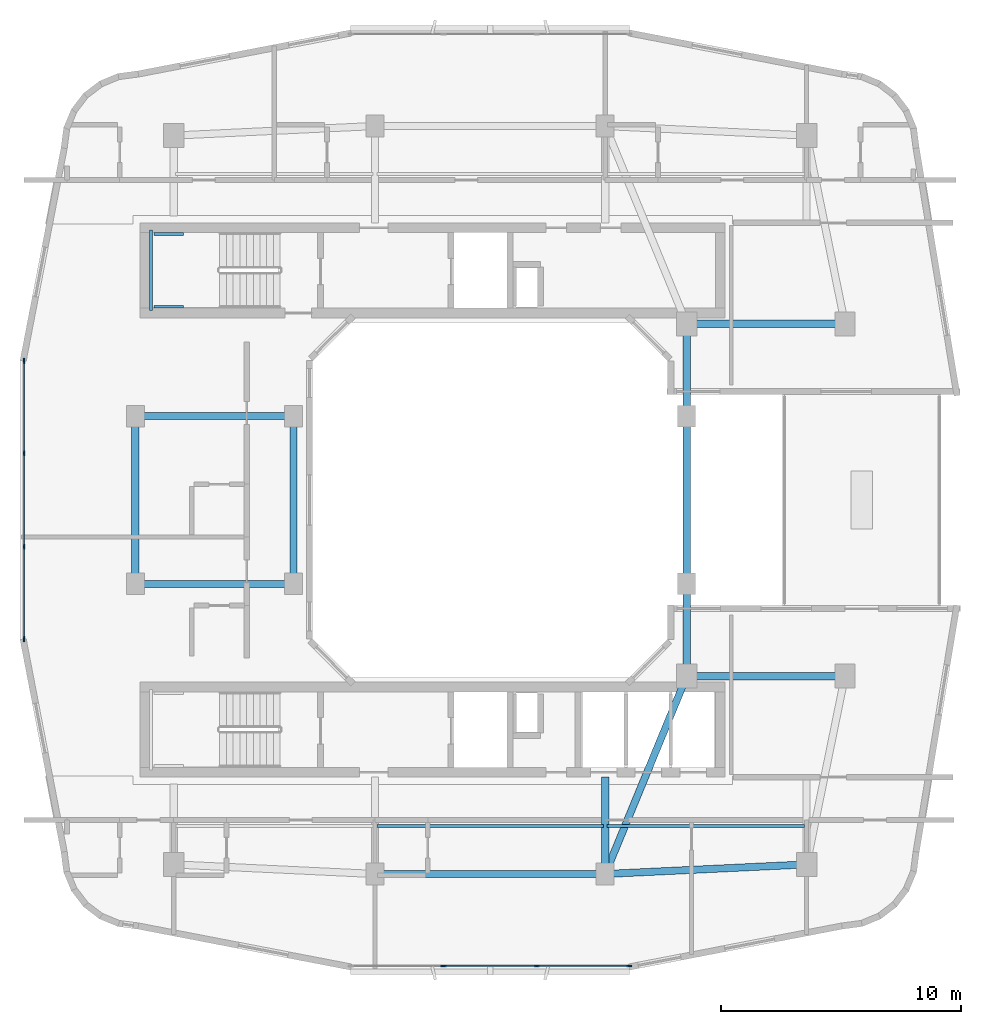
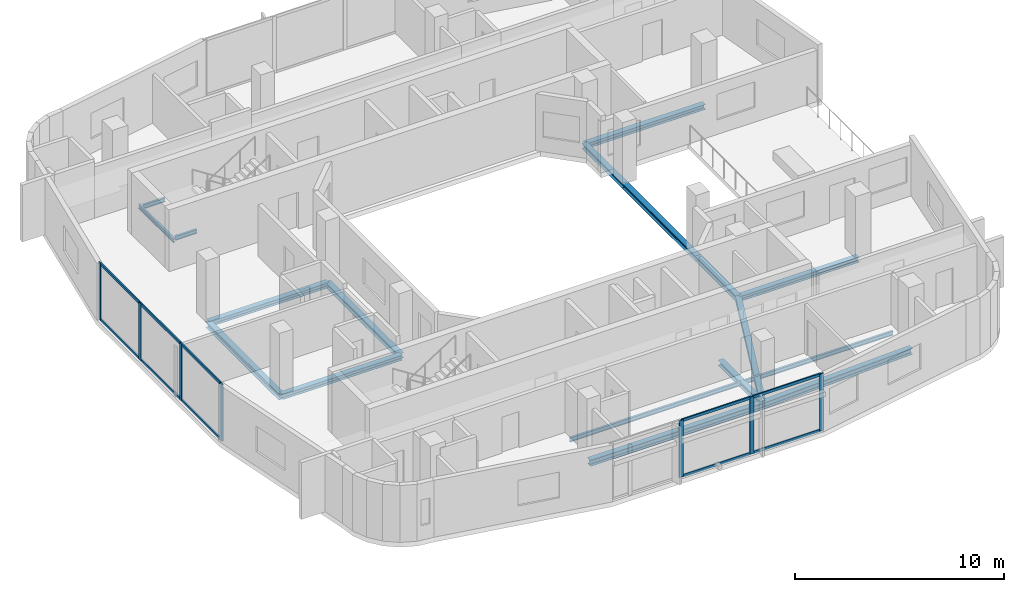
# One storey, part 2 of 12: 18 beams, 17 members, 2 elements without a shape of their own.
"""IFC4 building model written with IfcOpenShell, lengths in metres."""

from ifc_helpers import new_model, si_unit, derived_unit, direction, frame, origin, origin_2d, place, context, subcontext, project, spatial, rectangle, i_section, extrude, material, layer, layer_set, material_profile, profile_set, type_object, element, aggregate, save


model = new_model("IFC4")

# Units and contexts
model_context = context("Model", 3, precision=1e-05, world=origin(), true_north=direction((0.0, 1.0)))
body_context = subcontext(model_context, "Body", "Model", "MODEL_VIEW")
ifc_project = project(units=[si_unit("LENGTHUNIT", "METRE"), si_unit("AREAUNIT", "SQUARE_METRE"), si_unit("VOLUMEUNIT", "CUBIC_METRE"), si_unit("PLANEANGLEUNIT", "RADIAN"), si_unit("MASSUNIT", "GRAM", prefix="KILO"), derived_unit("THERMALTRANSMITTANCEUNIT", [(si_unit("POWERUNIT", "WATT"), 1), (si_unit("LENGTHUNIT", "METRE"), -2), (si_unit("THERMODYNAMICTEMPERATUREUNIT", "KELVIN"), -1)])], contexts=[model_context])

# Site, building, storey
site_placement = place(None, origin())
site = spatial("IfcSite", under=ifc_project, at=site_placement, CompositionType="ELEMENT")
building_placement = place(site_placement, origin())
building = spatial("IfcBuilding", under=site, at=building_placement, Name="Kivonza Crest Hotel", CompositionType="ELEMENT")
storey_placement = place(building_placement, frame((0.0, 0.0, 177.5)))
storey = spatial("IfcBuildingStorey", under=building, at=storey_placement, Name="L48", CompositionType="ELEMENT", Elevation=177.5)

# Beams
ifc_material_1 = material(Name="Steel S355", Category="steel")
ifc_material_profile_1 = material_profile(ifc_material_1, i_section(OverallWidth=0.300048828125, OverallDepth=0.300048828125, WebThickness=0.010986328125, FlangeThickness=0.01904296875, FilletRadius=0.027099609375, at=origin_2d()), Name="HEB 300")
ifc_profile_set_1 = profile_set([ifc_material_profile_1], Name="Steel S355")
beam_type_1 = type_object("IfcBeamType", Name="BM-HEB300", PredefinedType="BEAM", material=ifc_profile_set_1)
for number, where, z_axis, x_axis, name in (
    (1, (6.199951171875, 21.5, -0.429931640625), (1.0, 0.0, 0.0), (0.0, 1.0, 0.0), "Tower T1 L48 primary girder W1-WL1"),
    (2, (6.199951171875, 28.5, -0.429931640625), (1.0, 0.0, 0.0), (0.0, 1.0, 0.0), "Tower T1 L48 primary girder W2-WL2"),
):
    element("IfcBeam", number, at=place(storey_placement, frame(where, z_axis=z_axis, x_axis=x_axis)), inside=storey, type_object=beam_type_1, Name=name, PredefinedType="BEAM", context=body_context, shape_type="SweptSolid", body=[
        extrude(i_section(OverallWidth=0.300048828125, OverallDepth=0.300048828125, WebThickness=0.010986328125, FlangeThickness=0.01904296875, FilletRadius=0.027099609375, at=origin_2d()), origin(), (0.0, 0.0, 1.0), 6.60009765625),
    ])
beam_1_placement = place(storey_placement, frame((12.800048828125, 21.5, -0.429931640625), z_axis=(0.0, 1.0, 0.0), x_axis=(-1.0, 0.0, 0.0)))
element("IfcBeam", 3, at=beam_1_placement, inside=storey, type_object=beam_type_1, Name="Tower T1 L48 primary girder WL1-WL2", PredefinedType="BEAM", context=body_context, shape_type="SweptSolid", body=[
    extrude(i_section(OverallWidth=0.300048828125, OverallDepth=0.300048828125, WebThickness=0.010986328125, FlangeThickness=0.01904296875, FilletRadius=0.027099609375, at=origin_2d()), origin(), (0.0, 0.0, 1.0), 7.0),
])
beam_2_placement = place(storey_placement, frame((25.800048828125, 9.39990234375, -0.429931640625), z_axis=(0.381022260404, 0.924565864109, 0.0), x_axis=(-0.924565864109, 0.381022260404, 0.0)))
element("IfcBeam", 4, at=beam_2_placement, inside=storey, type_object=beam_type_1, Name="Tower T1 L48 primary girder S1-TSE", PredefinedType="BEAM", context=body_context, shape_type="SweptSolid", body=[
    extrude(i_section(OverallWidth=0.300048828125, OverallDepth=0.300048828125, WebThickness=0.010986328125, FlangeThickness=0.01904296875, FilletRadius=0.027099609375, at=origin_2d()), origin(), (0.0, 0.0, 1.0), 8.923095703125),
])
for number, where, z_axis, x_axis, name in (
    (5, (29.199951171875, 17.64990234375, -0.429931640625), (1.0, 0.0, 0.0), (0.0, 1.0, 0.0), "Tower T1 L48 primary girder TSE-PSE"),
    (6, (29.199951171875, 32.35009765625, -0.429931640625), (1.0, 0.0, 0.0), (0.0, 1.0, 0.0), "Tower T1 L48 primary girder TNE-PNE"),
):
    element("IfcBeam", number, at=place(storey_placement, frame(where, z_axis=z_axis, x_axis=x_axis)), inside=storey, type_object=beam_type_1, Name=name, PredefinedType="BEAM", context=body_context, shape_type="SweptSolid", body=[
        extrude(i_section(OverallWidth=0.300048828125, OverallDepth=0.300048828125, WebThickness=0.010986328125, FlangeThickness=0.01904296875, FilletRadius=0.027099609375, at=origin_2d()), origin(), (0.0, 0.0, 1.0), 6.60009765625),
    ])
beam_3_placement = place(storey_placement, frame((29.199951171875, 21.5, -0.429931640625), z_axis=(0.0, 1.0, 0.0), x_axis=(-1.0, 0.0, 0.0)))
element("IfcBeam", 7, at=beam_3_placement, inside=storey, type_object=beam_type_1, Name="Tower T1 L48 primary girder WR1-WR2", PredefinedType="BEAM", context=body_context, shape_type="SweptSolid", body=[
    extrude(i_section(OverallWidth=0.300048828125, OverallDepth=0.300048828125, WebThickness=0.010986328125, FlangeThickness=0.01904296875, FilletRadius=0.027099609375, at=origin_2d()), origin(), (0.0, 0.0, 1.0), 7.0),
])
for number, where, z_axis, x_axis, name in (
    (8, (29.199951171875, 17.64990234375, -0.429931640625), (0.0, 1.0, 0.0), (-1.0, 0.0, 0.0), "Tower T1 L48 primary girder TSE-WR1"),
    (9, (29.199951171875, 28.5, -0.429931640625), (0.0, 1.0, 0.0), (-1.0, 0.0, 0.0), "Tower T1 L48 primary girder WR2-TNE"),
):
    element("IfcBeam", number, at=place(storey_placement, frame(where, z_axis=z_axis, x_axis=x_axis)), inside=storey, type_object=beam_type_1, Name=name, PredefinedType="BEAM", context=body_context, shape_type="SweptSolid", body=[
        extrude(i_section(OverallWidth=0.300048828125, OverallDepth=0.300048828125, WebThickness=0.010986328125, FlangeThickness=0.01904296875, FilletRadius=0.027099609375, at=origin_2d()), origin(), (0.0, 0.0, 1.0), 3.85009765625),
    ])
beam_4_placement = place(storey_placement, frame((25.800048828125, 9.39990234375, -0.429931640625), z_axis=(0.0, 1.0, 0.0), x_axis=(-1.0, 0.0, 0.0)))
element("IfcBeam", 10, at=beam_4_placement, inside=storey, type_object=beam_type_1, Name="Tower T1 L48 radial core girder RS2", PredefinedType="BEAM", context=body_context, shape_type="SweptSolid", body=[
    extrude(i_section(OverallWidth=0.300048828125, OverallDepth=0.300048828125, WebThickness=0.010986328125, FlangeThickness=0.01904296875, FilletRadius=0.027099609375, at=origin_2d()), origin(), (0.0, 0.0, 1.0), 4.050048828125),
])
ifc_material_profile_2 = material_profile(ifc_material_1, i_section(OverallWidth=0.300048828125, OverallDepth=0.360107421875, WebThickness=0.012451171875, FlangeThickness=0.0224609375, FilletRadius=0.027099609375, at=origin_2d()), Name="HEB 360")
ifc_profile_set_2 = profile_set([ifc_material_profile_2], Name="Steel S355")
beam_type_2 = type_object("IfcBeamType", Name="BM-HEB360", PredefinedType="SPANDREL", material=ifc_profile_set_2)
beam_5_placement = place(storey_placement, frame((16.199951171875, 9.39990234375, -0.4599609375), z_axis=(1.0, 0.0, 0.0), x_axis=(0.0, 1.0, 0.0)))
element("IfcBeam", 11, at=beam_5_placement, inside=storey, type_object=beam_type_2, Name="Tower T1 L48 perimeter spandrel S1-S2", PredefinedType="SPANDREL", context=body_context, shape_type="SweptSolid", body=[
    extrude(i_section(OverallWidth=0.300048828125, OverallDepth=0.360107421875, WebThickness=0.012451171875, FlangeThickness=0.0224609375, FilletRadius=0.027099609375, at=origin_2d()), origin(), (0.0, 0.0, 1.0), 9.60009765625),
])
beam_6_placement = place(storey_placement, frame((25.800048828125, 9.39990234375, -0.4599609375), z_axis=(0.998867283688, 0.047583080799, 0.0), x_axis=(-0.047583080799, 0.998867283688, 0.0)))
element("IfcBeam", 12, at=beam_6_placement, inside=storey, type_object=beam_type_2, Name="Tower T1 L48 perimeter spandrel S2-SE", PredefinedType="SPANDREL", context=body_context, shape_type="SweptSolid", body=[
    extrude(i_section(OverallWidth=0.300048828125, OverallDepth=0.360107421875, WebThickness=0.012451171875, FlangeThickness=0.0224609375, FilletRadius=0.027099609375, at=origin_2d()), origin(), (0.0, 0.0, 1.0), 8.409423828125),
])
beam_7_placement = place(storey_placement, frame((6.199951171875, 28.5, -0.4599609375), z_axis=(0.0, -1.0, 0.0), x_axis=(1.0, 0.0, 0.0)))
element("IfcBeam", 13, at=beam_7_placement, inside=storey, type_object=beam_type_2, Name="Tower T1 L48 perimeter spandrel W2-W1", PredefinedType="SPANDREL", context=body_context, shape_type="SweptSolid", body=[
    extrude(i_section(OverallWidth=0.300048828125, OverallDepth=0.360107421875, WebThickness=0.012451171875, FlangeThickness=0.0224609375, FilletRadius=0.027099609375, at=origin_2d()), origin(), (0.0, 0.0, 1.0), 7.0),
])
ifc_material_profile_3 = material_profile(ifc_material_1, i_section(OverallWidth=0.1201171875, OverallDepth=0.239990234375, WebThickness=0.006103515625, FlangeThickness=0.009765625, FilletRadius=0.014892578125, at=origin_2d()), Name="IPE 240")
ifc_profile_set_3 = profile_set([ifc_material_profile_3], Name="Steel S355")
beam_type_3 = type_object("IfcBeamType", Name="BM-IPE240", PredefinedType="JOIST", material=ifc_profile_set_3)
beam_8_placement = place(storey_placement, frame((16.280029296875, 11.39990234375, -0.39990234375), z_axis=(1.0, 0.0, 0.0), x_axis=(0.0, 1.0, 0.0)))
element("IfcBeam", 14, at=beam_8_placement, inside=storey, type_object=beam_type_3, Name="Tower T1 L48 South-Mid floor joist", PredefinedType="JOIST", context=body_context, shape_type="SweptSolid", body=[
    extrude(i_section(OverallWidth=0.1201171875, OverallDepth=0.239990234375, WebThickness=0.006103515625, FlangeThickness=0.009765625, FilletRadius=0.014892578125, at=origin_2d()), origin(), (0.0, 0.0, 1.0), 9.43994140625),
])
beam_9_placement = place(storey_placement, frame((25.8798828125, 11.39990234375, -0.39990234375), z_axis=(1.0, 0.0, 0.0), x_axis=(0.0, 1.0, 0.0)))
element("IfcBeam", 15, at=beam_9_placement, inside=storey, type_object=beam_type_3, Name="Tower T1 L48 South-East floor joist", PredefinedType="JOIST", context=body_context, shape_type="SweptSolid", body=[
    extrude(i_section(OverallWidth=0.1201171875, OverallDepth=0.239990234375, WebThickness=0.006103515625, FlangeThickness=0.009765625, FilletRadius=0.014892578125, at=origin_2d()), origin(), (0.0, 0.0, 1.0), 8.240234375),
])
ifc_material_profile_4 = material_profile(ifc_material_1, i_section(OverallWidth=0.1201171875, OverallDepth=0.239990234375, WebThickness=0.006103515625, FlangeThickness=0.009765625, FilletRadius=0.014892578125, at=origin_2d()), Name="IPE 240")
ifc_profile_set_4 = profile_set([ifc_material_profile_4], Name="Steel S355")
beam_type_4 = type_object("IfcBeamType", Name="BM-LLDG-240", PredefinedType="BEAM", material=ifc_profile_set_4)
beam_10_placement = place(storey_placement, frame((6.860107421875, 32.89990234375, 1.47998046875), z_axis=(0.0, 1.0, 0.0), x_axis=(-1.0, 0.0, 0.0)))
element("IfcBeam", 16, at=beam_10_placement, inside=storey, type_object=beam_type_4, Name="Stair ST-T1-N L48 West landing corbel", PredefinedType="BEAM", context=body_context, shape_type="SweptSolid", body=[
    extrude(i_section(OverallWidth=0.1201171875, OverallDepth=0.239990234375, WebThickness=0.006103515625, FlangeThickness=0.009765625, FilletRadius=0.014892578125, at=origin_2d()), origin(), (0.0, 0.0, 1.0), 3.360107421875),
])
for number, where, z_axis, x_axis, name in (
    (17, (6.989990234375, 33.06005859375, 1.47998046875), (1.0, 0.0, 0.0), (0.0, 1.0, 0.0), "Stair ST-T1-N L48 South landing corbel"),
    (18, (6.989990234375, 36.10009765625, 1.47998046875), (1.0, 0.0, 0.0), (0.0, 1.0, 0.0), "Stair ST-T1-N L48 North landing corbel"),
):
    element("IfcBeam", number, at=place(storey_placement, frame(where, z_axis=z_axis, x_axis=x_axis)), inside=storey, type_object=beam_type_4, Name=name, PredefinedType="BEAM", context=body_context, shape_type="SweptSolid", body=[
        extrude(i_section(OverallWidth=0.1201171875, OverallDepth=0.239990234375, WebThickness=0.006103515625, FlangeThickness=0.009765625, FilletRadius=0.014892578125, at=origin_2d()), origin(), (0.0, 0.0, 1.0), 1.2099609375),
    ])

# Curtain wall, members
ifc_material_2 = material(Name="Anodised bronze aluminium and low-E double glazing", Category="aluminium")
ifc_layer = layer(ifc_material_2, 0.179931640625)
ifc_layer_set = layer_set([ifc_layer], Name="Anodised bronze aluminium and low-E double glazing")
curtain_wall_type = type_object("IfcCurtainWallType", Name="CW-SYS-3", PredefinedType="NOTDEFINED", material=ifc_layer_set)
curtain_wall_1_placement = place(storey_placement, origin())
curtain_wall_1 = element("IfcCurtainWall", 19, at=curtain_wall_1_placement, inside=storey, type_object=curtain_wall_type, Name="L48 unitised curtain wall CW-T1-L48-08", PredefinedType="NOTDEFINED")
ifc_material_3 = material(Name="Anodised bronze aluminium", Category="aluminium")
ifc_material_profile_5 = material_profile(ifc_material_3, rectangle(XDim=0.074951171875, YDim=0.219970703125, at=origin_2d()), Name="CW-M 75x220")
ifc_profile_set_5 = profile_set([ifc_material_profile_5], Name="Anodised bronze aluminium")
member_type_1 = type_object("IfcMemberType", Name="CW-MUL-75x220", PredefinedType="MULLION", material=ifc_profile_set_5)
member_1_placement = place(storey_placement, frame((19.05322265625, 5.56005859375, 0.0), z_axis=(0.0, 0.0, 1.0), x_axis=(0.0, 1.0, 0.0)))
member_1 = element("IfcMember", 20, at=member_1_placement, type_object=member_type_1, Name="CW-3 mullion 2", PredefinedType="MULLION", context=body_context, shape_type="SweptSolid", body=[
    extrude(rectangle(XDim=0.074951171875, YDim=0.219970703125, at=origin_2d()), origin(), (0.0, 0.0, 1.0), 3.320068359375),
])
member_2_placement = place(storey_placement, frame((22.94677734375, 5.56005859375, 0.0), z_axis=(0.0, 0.0, 1.0), x_axis=(0.0, 1.0, 0.0)))
member_2 = element("IfcMember", 21, at=member_2_placement, type_object=member_type_1, Name="CW-3 mullion 3", PredefinedType="MULLION", context=body_context, shape_type="SweptSolid", body=[
    extrude(rectangle(XDim=0.074951171875, YDim=0.219970703125, at=origin_2d()), origin(), (0.0, 0.0, 1.0), 3.320068359375),
])
member_3_placement = place(storey_placement, frame((26.802490234375, 5.56005859375, 0.0), z_axis=(0.0, 0.0, 1.0), x_axis=(0.0, 1.0, 0.0)))
member_3 = element("IfcMember", 22, at=member_3_placement, type_object=member_type_1, Name="CW-3 mullion 4", PredefinedType="MULLION", context=body_context, shape_type="SweptSolid", body=[
    extrude(rectangle(XDim=0.074951171875, YDim=0.219970703125, at=origin_2d()), origin(), (0.0, 0.0, 1.0), 3.320068359375),
])

curtain_wall_2_placement = place(storey_placement, origin())
curtain_wall_2 = element("IfcCurtainWall", 23, at=curtain_wall_2_placement, inside=storey, type_object=curtain_wall_type, Name="L48 unitised curtain wall CW-T1-L48-45", PredefinedType="NOTDEFINED")
member_4_placement = place(storey_placement, frame((1.56005859375, 30.802490234375, 0.0), z_axis=(0.0, 0.0, 1.0), x_axis=(1.0, 0.0, 0.0)))
member_4 = element("IfcMember", 24, at=member_4_placement, type_object=member_type_1, Name="CW-3 mullion 1", PredefinedType="MULLION", context=body_context, shape_type="SweptSolid", body=[
    extrude(rectangle(XDim=0.074951171875, YDim=0.219970703125, at=origin_2d()), origin(), (0.0, 0.0, 1.0), 3.320068359375),
])
member_5_placement = place(storey_placement, frame((1.56005859375, 26.94677734375, 0.0), z_axis=(0.0, 0.0, 1.0), x_axis=(1.0, 0.0, 0.0)))
member_5 = element("IfcMember", 25, at=member_5_placement, type_object=member_type_1, Name="CW-3 mullion 2", PredefinedType="MULLION", context=body_context, shape_type="SweptSolid", body=[
    extrude(rectangle(XDim=0.074951171875, YDim=0.219970703125, at=origin_2d()), origin(), (0.0, 0.0, 1.0), 3.320068359375),
])
member_6_placement = place(storey_placement, frame((1.56005859375, 23.05322265625, 0.0), z_axis=(0.0, 0.0, 1.0), x_axis=(1.0, 0.0, 0.0)))
member_6 = element("IfcMember", 26, at=member_6_placement, type_object=member_type_1, Name="CW-3 mullion 3", PredefinedType="MULLION", context=body_context, shape_type="SweptSolid", body=[
    extrude(rectangle(XDim=0.074951171875, YDim=0.219970703125, at=origin_2d()), origin(), (0.0, 0.0, 1.0), 3.320068359375),
])
member_7_placement = place(storey_placement, frame((1.56005859375, 19.197509765625, 0.0), z_axis=(0.0, 0.0, 1.0), x_axis=(1.0, 0.0, 0.0)))
member_7 = element("IfcMember", 27, at=member_7_placement, type_object=member_type_1, Name="CW-3 mullion 4", PredefinedType="MULLION", context=body_context, shape_type="SweptSolid", body=[
    extrude(rectangle(XDim=0.074951171875, YDim=0.219970703125, at=origin_2d()), origin(), (0.0, 0.0, 1.0), 3.320068359375),
])

# Member
ifc_material_profile_6 = material_profile(ifc_material_3, rectangle(XDim=0.074951171875, YDim=0.159912109375, at=origin_2d()), Name="CW-T 75x160")
ifc_profile_set_6 = profile_set([ifc_material_profile_6], Name="Anodised bronze aluminium")
member_type_2 = type_object("IfcMemberType", Name="CW-TRN-75x160", PredefinedType="USERDEFINED", material=ifc_profile_set_6)
member_8_placement = place(storey_placement, frame((19.0908203125, 5.56005859375, 0.03759765625), z_axis=(1.0, 0.0, 0.0), x_axis=(0.0, 1.0, 0.0)))
member_8 = element("IfcMember", 28, at=member_8_placement, type_object=member_type_2, Name="CW-3 transom 2.1", ObjectType="TRANSOM", PredefinedType="USERDEFINED", context=body_context, shape_type="SweptSolid", body=[
    extrude(rectangle(XDim=0.074951171875, YDim=0.159912109375, at=origin_2d()), origin(), (0.0, 0.0, 1.0), 3.818359375),
])

member_9_placement = place(storey_placement, frame((19.0908203125, 5.56005859375, 3.282470703125), z_axis=(1.0, 0.0, 0.0), x_axis=(0.0, 1.0, 0.0)))
member_9 = element("IfcMember", 29, at=member_9_placement, type_object=member_type_2, Name="CW-3 transom 2.2", ObjectType="TRANSOM", PredefinedType="USERDEFINED", context=body_context, shape_type="SweptSolid", body=[
    extrude(rectangle(XDim=0.074951171875, YDim=0.159912109375, at=origin_2d()), origin(), (0.0, 0.0, 1.0), 3.818359375),
])

member_10_placement = place(storey_placement, frame((22.984130859375, 5.56005859375, 0.03759765625), z_axis=(1.0, 0.0, 0.0), x_axis=(0.0, 1.0, 0.0)))
member_10 = element("IfcMember", 30, at=member_10_placement, type_object=member_type_2, Name="CW-3 transom 3.1", ObjectType="TRANSOM", PredefinedType="USERDEFINED", context=body_context, shape_type="SweptSolid", body=[
    extrude(rectangle(XDim=0.074951171875, YDim=0.159912109375, at=origin_2d()), origin(), (0.0, 0.0, 1.0), 3.78076171875),
])

member_11_placement = place(storey_placement, frame((22.984130859375, 5.56005859375, 3.282470703125), z_axis=(1.0, 0.0, 0.0), x_axis=(0.0, 1.0, 0.0)))
member_11 = element("IfcMember", 31, at=member_11_placement, type_object=member_type_2, Name="CW-3 transom 3.2", ObjectType="TRANSOM", PredefinedType="USERDEFINED", context=body_context, shape_type="SweptSolid", body=[
    extrude(rectangle(XDim=0.074951171875, YDim=0.159912109375, at=origin_2d()), origin(), (0.0, 0.0, 1.0), 3.78076171875),
])

aggregate(curtain_wall_1, [member_1, member_2, member_3, member_8, member_9, member_10, member_11])

member_12_placement = place(storey_placement, frame((1.56005859375, 30.764892578125, 0.03759765625), z_axis=(0.0, -1.0, 0.0), x_axis=(1.0, 0.0, 0.0)))
member_12 = element("IfcMember", 32, at=member_12_placement, type_object=member_type_2, Name="CW-3 transom 1.1", ObjectType="TRANSOM", PredefinedType="USERDEFINED", context=body_context, shape_type="SweptSolid", body=[
    extrude(rectangle(XDim=0.074951171875, YDim=0.159912109375, at=origin_2d()), origin(), (0.0, 0.0, 1.0), 3.78076171875),
])

member_13_placement = place(storey_placement, frame((1.56005859375, 30.764892578125, 3.282470703125), z_axis=(0.0, -1.0, 0.0), x_axis=(1.0, 0.0, 0.0)))
member_13 = element("IfcMember", 33, at=member_13_placement, type_object=member_type_2, Name="CW-3 transom 1.2", ObjectType="TRANSOM", PredefinedType="USERDEFINED", context=body_context, shape_type="SweptSolid", body=[
    extrude(rectangle(XDim=0.074951171875, YDim=0.159912109375, at=origin_2d()), origin(), (0.0, 0.0, 1.0), 3.78076171875),
])

member_14_placement = place(storey_placement, frame((1.56005859375, 26.9091796875, 0.03759765625), z_axis=(0.0, -1.0, 0.0), x_axis=(1.0, 0.0, 0.0)))
member_14 = element("IfcMember", 34, at=member_14_placement, type_object=member_type_2, Name="CW-3 transom 2.1", ObjectType="TRANSOM", PredefinedType="USERDEFINED", context=body_context, shape_type="SweptSolid", body=[
    extrude(rectangle(XDim=0.074951171875, YDim=0.159912109375, at=origin_2d()), origin(), (0.0, 0.0, 1.0), 3.818359375),
])

member_15_placement = place(storey_placement, frame((1.56005859375, 26.9091796875, 3.282470703125), z_axis=(0.0, -1.0, 0.0), x_axis=(1.0, 0.0, 0.0)))
member_15 = element("IfcMember", 35, at=member_15_placement, type_object=member_type_2, Name="CW-3 transom 2.2", ObjectType="TRANSOM", PredefinedType="USERDEFINED", context=body_context, shape_type="SweptSolid", body=[
    extrude(rectangle(XDim=0.074951171875, YDim=0.159912109375, at=origin_2d()), origin(), (0.0, 0.0, 1.0), 3.818359375),
])

member_16_placement = place(storey_placement, frame((1.56005859375, 23.015869140625, 0.03759765625), z_axis=(0.0, -1.0, 0.0), x_axis=(1.0, 0.0, 0.0)))
member_16 = element("IfcMember", 36, at=member_16_placement, type_object=member_type_2, Name="CW-3 transom 3.1", ObjectType="TRANSOM", PredefinedType="USERDEFINED", context=body_context, shape_type="SweptSolid", body=[
    extrude(rectangle(XDim=0.074951171875, YDim=0.159912109375, at=origin_2d()), origin(), (0.0, 0.0, 1.0), 3.78076171875),
])

member_17_placement = place(storey_placement, frame((1.56005859375, 23.015869140625, 3.282470703125), z_axis=(0.0, -1.0, 0.0), x_axis=(1.0, 0.0, 0.0)))
member_17 = element("IfcMember", 37, at=member_17_placement, type_object=member_type_2, Name="CW-3 transom 3.2", ObjectType="TRANSOM", PredefinedType="USERDEFINED", context=body_context, shape_type="SweptSolid", body=[
    extrude(rectangle(XDim=0.074951171875, YDim=0.159912109375, at=origin_2d()), origin(), (0.0, 0.0, 1.0), 3.78076171875),
])

aggregate(curtain_wall_2, [member_4, member_5, member_6, member_7, member_12, member_13, member_14, member_15, member_16, member_17])

save(model, "model.ifc")
